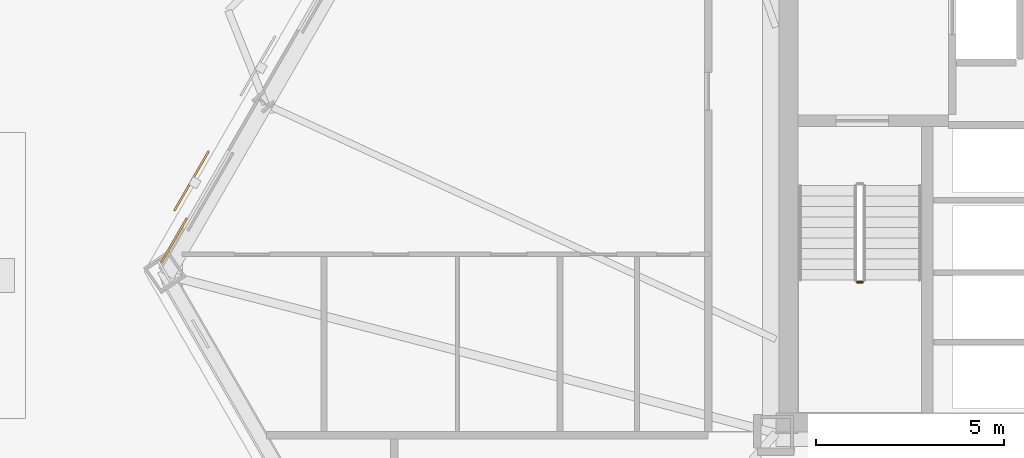
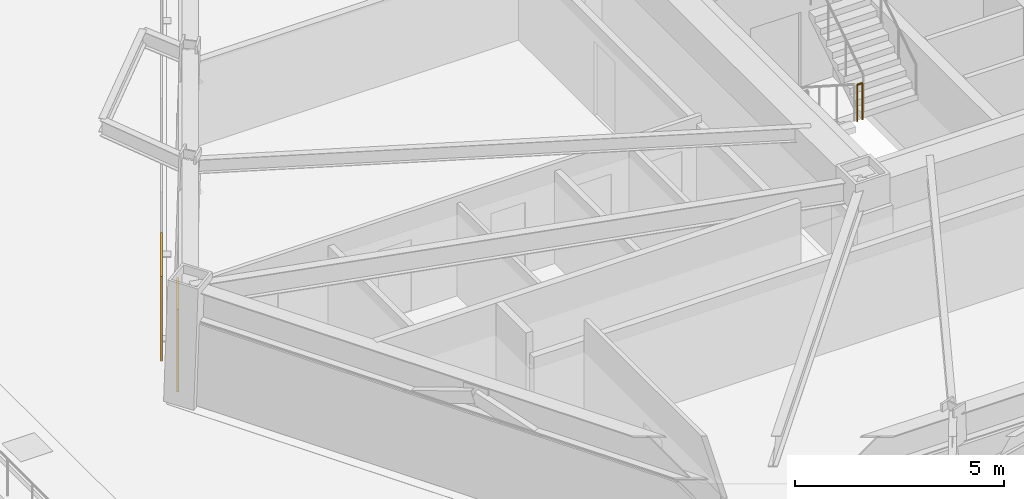
# One storey, part 8 of 14: 1 covering, 1 railing, 1 shading device.
"""IFC4 building model written with IfcOpenShell, lengths in metres."""

from ifc_helpers import new_model, si_unit, direction, frame, origin, origin_2d, place, context, subcontext, project, spatial, rectangle, circle, extrude, material, layer, layer_set, type_object, element, save


model = new_model("IFC4")

# Units and contexts
model_context = context("Model", 3, precision=1e-05, world=origin(), true_north=direction((0.0, 1.0)))
body_context = subcontext(model_context, "Body", "Model", "MODEL_VIEW")
ifc_project = project(units=[si_unit("LENGTHUNIT", "METRE"), si_unit("AREAUNIT", "SQUARE_METRE"), si_unit("VOLUMEUNIT", "CUBIC_METRE"), si_unit("PLANEANGLEUNIT", "RADIAN"), si_unit("MASSUNIT", "GRAM", prefix="KILO")], contexts=[model_context])

# Site, building, storey
site_placement = place(None, origin())
site = spatial("IfcSite", under=ifc_project, at=site_placement, CompositionType="ELEMENT")
building_placement = place(site_placement, origin())
building = spatial("IfcBuilding", under=site, at=building_placement, Name="Oramaril Tower", CompositionType="ELEMENT")
storey_placement = place(building_placement, frame((0.0, 0.0, 27.300048828125)))
storey = spatial("IfcBuildingStorey", under=building, at=storey_placement, Name="L06", CompositionType="ELEMENT", Elevation=27.300048828125)

# Covering
ifc_material_1 = material(Name="Warm Cream Limestone", Category="masonry")
ifc_layer = layer(ifc_material_1, 0.050048828125)
ifc_layer_set = layer_set([ifc_layer], Name="CVT-CLD")
covering_type = type_object("IfcCoveringType", Name="CVT-CLD", PredefinedType="CLADDING", material=ifc_layer_set)
covering_placement = place(storey_placement, frame((13.34765625, 16.132568359375, 0.0400390625), z_axis=(0.0, 0.0, 1.0), x_axis=(-0.5, -0.866025403784, 0.0)))
element("IfcCovering", 1, at=covering_placement, inside=storey, type_object=covering_type, Name="L06 Warm Cream Limestone Cladding", PredefinedType="CLADDING", context=body_context, shape_type="SweptSolid", body=[
    extrude(rectangle(XDim=1.35009765625, YDim=0.050048828125, at=origin_2d()), origin(), (0.0, 0.0, 1.0), 2.4140625),
])

# Railing
ifc_material_2 = material(Name="Stainless Steel 316L", Category="steel")
railing_type = type_object("IfcRailingType", Name="RLT-GRD", PredefinedType="GUARDRAIL", material=ifc_material_2)
railing_placement = place(storey_placement, frame((31.510009765625, 15.02001953125, 1.800048828125)))
element("IfcRailing", 2, at=railing_placement, inside=storey, type_object=railing_type, Name="L06 ST-1 stair guard 2", PredefinedType="GUARDRAIL", context=body_context, shape_type="SweptSolid", body=[
    extrude(circle(Radius=0.02392578125, at=origin_2d()), frame((0.0, 0.0, 1.076171875), z_axis=(1.0, 0.0, 0.0), x_axis=(0.0, 1.0, 0.0)), (0.0, 0.0, 1.0), 0.14990234375),
    extrude(circle(Radius=0.02099609375, at=origin_2d()), origin(), (0.0, 0.0, 1.0), 1.052001953125),
    extrude(circle(Radius=0.02099609375, at=origin_2d()), frame((0.14990234375, 0.0, 0.0)), (0.0, 0.0, 1.0), 1.052001953125),
])

# Shading device
shading_device_placement = place(storey_placement, frame((13.81298828125, 17.712646484375, -0.02001953125), z_axis=(0.0, 0.0, 1.0), x_axis=(-0.5, -0.866025403784, 0.0)))
element("IfcShadingDevice", 3, at=shading_device_placement, inside=storey, Name="L06 Perforated Ceramic Solar Screen", ObjectType="SCREEN", PredefinedType="USERDEFINED", context=body_context, shape_type="SweptSolid", body=[
    extrude(rectangle(XDim=1.8330078125, YDim=0.050048828125, at=origin_2d()), origin(), (0.0, 0.0, 1.0), 2.493896484375),
])

save(model, "model.ifc")
